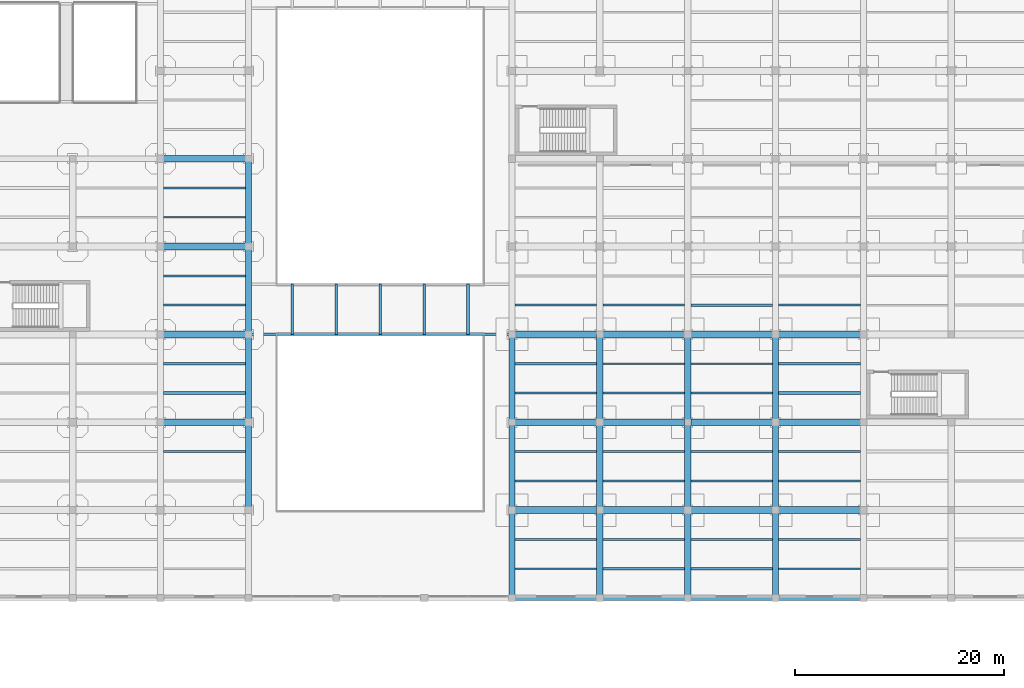
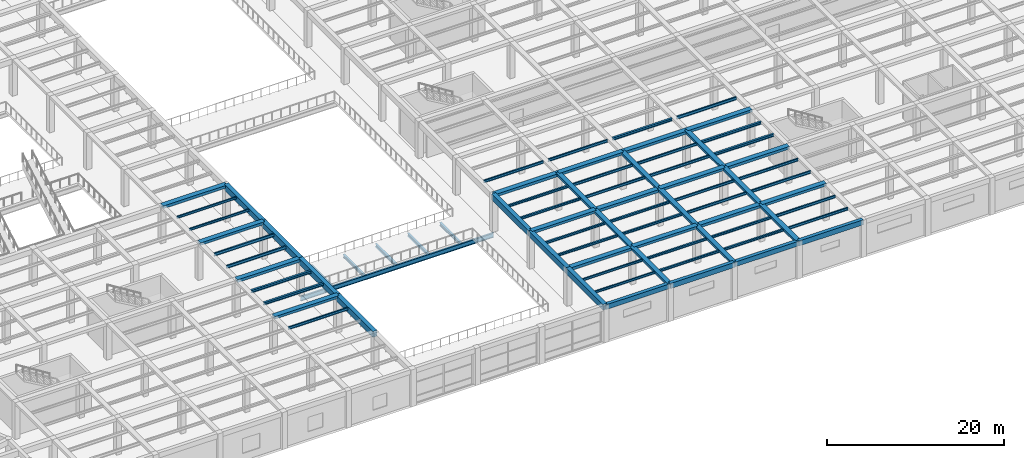
# One storey, part 27 of 96: 77 beams.
"""IFC4 building model written with IfcOpenShell, lengths in metres."""

from ifc_helpers import new_model, si_unit, direction, frame, origin, origin_2d, place, context, subcontext, project, spatial, rectangle, i_section, extrude, material, material_profile, profile_set, type_object, element, save


model = new_model("IFC4")

# Units and contexts
model_context = context("Model", 3, precision=1e-05, world=origin(), true_north=direction((0.0, 1.0)))
body_context = subcontext(model_context, "Body", "Model", "MODEL_VIEW")
ifc_project = project(units=[si_unit("LENGTHUNIT", "METRE"), si_unit("AREAUNIT", "SQUARE_METRE"), si_unit("VOLUMEUNIT", "CUBIC_METRE"), si_unit("PLANEANGLEUNIT", "RADIAN"), si_unit("MASSUNIT", "GRAM", prefix="KILO")], contexts=[model_context])

# Site, building, storey
site_placement = place(None, origin())
site = spatial("IfcSite", under=ifc_project, at=site_placement, CompositionType="ELEMENT")
building_placement = place(site_placement, origin())
building = spatial("IfcBuilding", under=site, at=building_placement, Name="Almacenes y Pasaje Nevantli", CompositionType="ELEMENT")
storey_placement = place(building_placement, frame((0.0, 0.0, 6.0)))
storey = spatial("IfcBuildingStorey", under=building, at=storey_placement, Name="L02", CompositionType="ELEMENT", Elevation=6.0)

# Beams
ifc_material_1 = material(Name="Concrete C35/45", Category="concrete")
ifc_material_profile_1 = material_profile(ifc_material_1, rectangle(XDim=0.449951171875, YDim=0.64990234375, at=origin_2d()), Name="RC-BM-450x650")
ifc_profile_set_1 = profile_set([ifc_material_profile_1], Name="Concrete C35/45")
beam_type_1 = type_object("IfcBeamType", Name="BM-RC-450x650", PredefinedType="SPANDREL", material=ifc_profile_set_1)
for number, where, z_axis, x_axis, name in (
    (1, (92.39990234375, 0.0, 4.77490234375), (1.0, 0.0, 0.0), (0.0, 1.0, 0.0), "L02 East-West Reinforced Concrete Beam #1731"),
    (2, (109.199951171875, 0.0, 4.77490234375), (1.0, 0.0, 0.0), (0.0, 1.0, 0.0), "L02 East-West Reinforced Concrete Beam #1733"),
):
    element("IfcBeam", number, at=place(storey_placement, frame(where, z_axis=z_axis, x_axis=x_axis)), inside=storey, type_object=beam_type_1, Name=name, PredefinedType="SPANDREL", context=body_context, shape_type="SweptSolid", body=[
        extrude(rectangle(XDim=0.449951171875, YDim=0.64990234375, at=origin_2d()), origin(), (0.0, 0.0, 1.0), 8.400146484375),
    ])
ifc_material_2 = material(Name="Concrete C35/45", Category="concrete")
ifc_material_profile_2 = material_profile(ifc_material_2, rectangle(XDim=0.449951171875, YDim=0.699951171875, at=origin_2d()), Name="RC-BM-450x700")
ifc_profile_set_2 = profile_set([ifc_material_profile_2], Name="Concrete C35/45")
beam_type_2 = type_object("IfcBeamType", Name="BM-RC-450x700", PredefinedType="SPANDREL", material=ifc_profile_set_2)
for number, where, z_axis, x_axis, name in (
    (3, (100.800048828125, 0.0, 4.75), (1.0, 0.0, 0.0), (0.0, 1.0, 0.0), "L02 East-West Reinforced Concrete Beam #1732"),
    (4, (117.60009765625, 0.0, 4.75), (1.0, 0.0, 0.0), (0.0, 1.0, 0.0), "L02 East-West Reinforced Concrete Beam #1734"),
):
    element("IfcBeam", number, at=place(storey_placement, frame(where, z_axis=z_axis, x_axis=x_axis)), inside=storey, type_object=beam_type_2, Name=name, PredefinedType="SPANDREL", context=body_context, shape_type="SweptSolid", body=[
        extrude(rectangle(XDim=0.449951171875, YDim=0.699951171875, at=origin_2d()), origin(), (0.0, 0.0, 1.0), 8.39990234375),
    ])
ifc_material_3 = material(Name="Concrete C35/45", Category="concrete")
ifc_material_profile_3 = material_profile(ifc_material_3, rectangle(XDim=0.550048828125, YDim=0.800048828125, at=origin_2d()), Name="RC-BM-550x800")
ifc_profile_set_3 = profile_set([ifc_material_profile_3], Name="Concrete C35/45")
beam_type_3 = type_object("IfcBeamType", Name="BM-RC-550x800", PredefinedType="BEAM", material=ifc_profile_set_3)
beam_1_placement = place(storey_placement, frame((67.199951171875, 8.39990234375, 4.699951171875), z_axis=(0.0, 1.0, 0.0), x_axis=(-1.0, 0.0, 0.0)))
element("IfcBeam", 5, at=beam_1_placement, inside=storey, type_object=beam_type_3, Name="L02 North-South Reinforced Concrete Beam #2056", PredefinedType="BEAM", context=body_context, shape_type="SweptSolid", body=[
    extrude(rectangle(XDim=0.550048828125, YDim=0.800048828125, at=origin_2d()), origin(), (0.0, 0.0, 1.0), 8.400146484375),
])
beam_2_placement = place(storey_placement, frame((67.199951171875, 16.800048828125, 4.699951171875), z_axis=(0.0, 1.0, 0.0), x_axis=(-1.0, 0.0, 0.0)))
element("IfcBeam", 6, at=beam_2_placement, inside=storey, type_object=beam_type_3, Name="L02 North-South Reinforced Concrete Beam #2057", PredefinedType="BEAM", context=body_context, shape_type="SweptSolid", body=[
    extrude(rectangle(XDim=0.550048828125, YDim=0.800048828125, at=origin_2d()), origin(), (0.0, 0.0, 1.0), 8.39990234375),
])
beam_3_placement = place(storey_placement, frame((67.199951171875, 25.199951171875, 4.699951171875), z_axis=(0.0, 1.0, 0.0), x_axis=(-1.0, 0.0, 0.0)))
element("IfcBeam", 7, at=beam_3_placement, inside=storey, type_object=beam_type_3, Name="L02 North-South Reinforced Concrete Beam #2058", PredefinedType="BEAM", context=body_context, shape_type="SweptSolid", body=[
    extrude(rectangle(XDim=0.550048828125, YDim=0.800048828125, at=origin_2d()), origin(), (0.0, 0.0, 1.0), 8.400146484375),
])
for number, where, z_axis, x_axis, name in (
    (8, (67.199951171875, 33.60009765625, 4.699951171875), (0.0, 1.0, 0.0), (-1.0, 0.0, 0.0), "L02 North-South Reinforced Concrete Beam #2059"),
    (9, (92.39990234375, 0.0, 4.699951171875), (0.0, 1.0, 0.0), (-1.0, 0.0, 0.0), "L02 North-South Reinforced Concrete Beam #2069"),
):
    element("IfcBeam", number, at=place(storey_placement, frame(where, z_axis=z_axis, x_axis=x_axis)), inside=storey, type_object=beam_type_3, Name=name, PredefinedType="BEAM", context=body_context, shape_type="SweptSolid", body=[
        extrude(rectangle(XDim=0.550048828125, YDim=0.800048828125, at=origin_2d()), origin(), (0.0, 0.0, 1.0), 8.39990234375),
    ])
beam_4_placement = place(storey_placement, frame((92.39990234375, 8.39990234375, 4.699951171875), z_axis=(0.0, 1.0, 0.0), x_axis=(-1.0, 0.0, 0.0)))
element("IfcBeam", 10, at=beam_4_placement, inside=storey, type_object=beam_type_3, Name="L02 North-South Reinforced Concrete Beam #2070", PredefinedType="BEAM", context=body_context, shape_type="SweptSolid", body=[
    extrude(rectangle(XDim=0.550048828125, YDim=0.800048828125, at=origin_2d()), origin(), (0.0, 0.0, 1.0), 8.400146484375),
])
beam_5_placement = place(storey_placement, frame((92.39990234375, 16.800048828125, 4.699951171875), z_axis=(0.0, 1.0, 0.0), x_axis=(-1.0, 0.0, 0.0)))
element("IfcBeam", 11, at=beam_5_placement, inside=storey, type_object=beam_type_3, Name="L02 North-South Reinforced Concrete Beam #2071", PredefinedType="BEAM", context=body_context, shape_type="SweptSolid", body=[
    extrude(rectangle(XDim=0.550048828125, YDim=0.800048828125, at=origin_2d()), origin(), (0.0, 0.0, 1.0), 8.39990234375),
])
ifc_material_4 = material(Name="Concrete C35/45", Category="concrete")
ifc_material_profile_4 = material_profile(ifc_material_4, rectangle(XDim=0.60009765625, YDim=0.320068359375, at=origin_2d()), Name="RC-BM-600x320")
ifc_profile_set_4 = profile_set([ifc_material_profile_4], Name="Concrete C35/45")
beam_type_4 = type_object("IfcBeamType", Name="BM-RC-600x320", PredefinedType="BEAM", material=ifc_profile_set_4)
beam_6_placement = place(storey_placement, frame((100.800048828125, 8.39990234375, 4.93994140625), z_axis=(0.0, 1.0, 0.0), x_axis=(-1.0, 0.0, 0.0)))
element("IfcBeam", 12, at=beam_6_placement, inside=storey, type_object=beam_type_4, Name="L02 North-South Reinforced Concrete Beam #2084", PredefinedType="BEAM", context=body_context, shape_type="SweptSolid", body=[
    extrude(rectangle(XDim=0.60009765625, YDim=0.320068359375, at=origin_2d()), origin(), (0.0, 0.0, 1.0), 8.400146484375),
])
for number, where, z_axis, x_axis, name in (
    (13, (109.199951171875, 0.0, 4.93994140625), (0.0, 1.0, 0.0), (-1.0, 0.0, 0.0), "L02 North-South Reinforced Concrete Beam #2096"),
    (14, (109.199951171875, 16.800048828125, 4.93994140625), (0.0, 1.0, 0.0), (-1.0, 0.0, 0.0), "L02 North-South Reinforced Concrete Beam #2098"),
):
    element("IfcBeam", number, at=place(storey_placement, frame(where, z_axis=z_axis, x_axis=x_axis)), inside=storey, type_object=beam_type_4, Name=name, PredefinedType="BEAM", context=body_context, shape_type="SweptSolid", body=[
        extrude(rectangle(XDim=0.60009765625, YDim=0.320068359375, at=origin_2d()), origin(), (0.0, 0.0, 1.0), 8.39990234375),
    ])
beam_7_placement = place(storey_placement, frame((117.60009765625, 8.39990234375, 4.93994140625), z_axis=(0.0, 1.0, 0.0), x_axis=(-1.0, 0.0, 0.0)))
element("IfcBeam", 15, at=beam_7_placement, inside=storey, type_object=beam_type_4, Name="L02 North-South Reinforced Concrete Beam #2110", PredefinedType="BEAM", context=body_context, shape_type="SweptSolid", body=[
    extrude(rectangle(XDim=0.60009765625, YDim=0.320068359375, at=origin_2d()), origin(), (0.0, 0.0, 1.0), 8.400146484375),
])
ifc_material_5 = material(Name="Concrete C35/45", Category="concrete")
ifc_material_profile_5 = material_profile(ifc_material_5, rectangle(XDim=0.60009765625, YDim=0.340087890625, at=origin_2d()), Name="RC-BM-600x340")
ifc_profile_set_5 = profile_set([ifc_material_profile_5], Name="Concrete C35/45")
beam_type_5 = type_object("IfcBeamType", Name="BM-RC-600x340", PredefinedType="BEAM", material=ifc_profile_set_5)
for number, where, z_axis, x_axis, name in (
    (16, (100.800048828125, 0.0, 4.929931640625), (0.0, 1.0, 0.0), (-1.0, 0.0, 0.0), "L02 North-South Reinforced Concrete Beam #2083"),
    (17, (100.800048828125, 16.800048828125, 4.929931640625), (0.0, 1.0, 0.0), (-1.0, 0.0, 0.0), "L02 North-South Reinforced Concrete Beam #2085"),
):
    element("IfcBeam", number, at=place(storey_placement, frame(where, z_axis=z_axis, x_axis=x_axis)), inside=storey, type_object=beam_type_5, Name=name, PredefinedType="BEAM", context=body_context, shape_type="SweptSolid", body=[
        extrude(rectangle(XDim=0.60009765625, YDim=0.340087890625, at=origin_2d()), origin(), (0.0, 0.0, 1.0), 8.39990234375),
    ])
beam_8_placement = place(storey_placement, frame((109.199951171875, 8.39990234375, 4.929931640625), z_axis=(0.0, 1.0, 0.0), x_axis=(-1.0, 0.0, 0.0)))
element("IfcBeam", 18, at=beam_8_placement, inside=storey, type_object=beam_type_5, Name="L02 North-South Reinforced Concrete Beam #2097", PredefinedType="BEAM", context=body_context, shape_type="SweptSolid", body=[
    extrude(rectangle(XDim=0.60009765625, YDim=0.340087890625, at=origin_2d()), origin(), (0.0, 0.0, 1.0), 8.400146484375),
])
for number, where, z_axis, x_axis, name in (
    (19, (117.60009765625, 0.0, 4.929931640625), (0.0, 1.0, 0.0), (-1.0, 0.0, 0.0), "L02 North-South Reinforced Concrete Beam #2109"),
    (20, (117.60009765625, 16.800048828125, 4.929931640625), (0.0, 1.0, 0.0), (-1.0, 0.0, 0.0), "L02 North-South Reinforced Concrete Beam #2111"),
):
    element("IfcBeam", number, at=place(storey_placement, frame(where, z_axis=z_axis, x_axis=x_axis)), inside=storey, type_object=beam_type_5, Name=name, PredefinedType="BEAM", context=body_context, shape_type="SweptSolid", body=[
        extrude(rectangle(XDim=0.60009765625, YDim=0.340087890625, at=origin_2d()), origin(), (0.0, 0.0, 1.0), 8.39990234375),
    ])
ifc_material_6 = material(Name="Concrete C35/45", Category="concrete")
ifc_material_profile_6 = material_profile(ifc_material_6, rectangle(XDim=0.64990234375, YDim=0.35009765625, at=origin_2d()), Name="RC-BM-650x350")
ifc_profile_set_6 = profile_set([ifc_material_profile_6], Name="Concrete C35/45")
beam_type_6 = type_object("IfcBeamType", Name="BM-RC-650x350", PredefinedType="BEAM", material=ifc_profile_set_6)
for number, where, z_axis, x_axis, name in (
    (21, (100.800048828125, 8.39990234375, 4.925048828125), (1.0, 0.0, 0.0), (0.0, 1.0, 0.0), "L02 East-West Reinforced Concrete Beam #1746"),
    (22, (117.60009765625, 8.39990234375, 4.925048828125), (1.0, 0.0, 0.0), (0.0, 1.0, 0.0), "L02 East-West Reinforced Concrete Beam #1748"),
    (23, (58.800048828125, 16.800048828125, 4.925048828125), (1.0, 0.0, 0.0), (0.0, 1.0, 0.0), "L02 East-West Reinforced Concrete Beam #1758"),
):
    element("IfcBeam", number, at=place(storey_placement, frame(where, z_axis=z_axis, x_axis=x_axis)), inside=storey, type_object=beam_type_6, Name=name, PredefinedType="BEAM", context=body_context, shape_type="SweptSolid", body=[
        extrude(rectangle(XDim=0.64990234375, YDim=0.35009765625, at=origin_2d()), origin(), (0.0, 0.0, 1.0), 8.39990234375),
    ])
for number, where, z_axis, x_axis, name in (
    (24, (92.39990234375, 16.800048828125, 4.925048828125), (1.0, 0.0, 0.0), (0.0, 1.0, 0.0), "L02 East-West Reinforced Concrete Beam #1759"),
    (25, (109.199951171875, 16.800048828125, 4.925048828125), (1.0, 0.0, 0.0), (0.0, 1.0, 0.0), "L02 East-West Reinforced Concrete Beam #1761"),
):
    element("IfcBeam", number, at=place(storey_placement, frame(where, z_axis=z_axis, x_axis=x_axis)), inside=storey, type_object=beam_type_6, Name=name, PredefinedType="BEAM", context=body_context, shape_type="SweptSolid", body=[
        extrude(rectangle(XDim=0.64990234375, YDim=0.35009765625, at=origin_2d()), origin(), (0.0, 0.0, 1.0), 8.400146484375),
    ])
for number, where, z_axis, x_axis, name in (
    (26, (100.800048828125, 25.199951171875, 4.925048828125), (1.0, 0.0, 0.0), (0.0, 1.0, 0.0), "L02 East-West Reinforced Concrete Beam #1777"),
    (27, (117.60009765625, 25.199951171875, 4.925048828125), (1.0, 0.0, 0.0), (0.0, 1.0, 0.0), "L02 East-West Reinforced Concrete Beam #1779"),
    (28, (58.800048828125, 33.60009765625, 4.925048828125), (1.0, 0.0, 0.0), (0.0, 1.0, 0.0), "L02 East-West Reinforced Concrete Beam #1792"),
):
    element("IfcBeam", number, at=place(storey_placement, frame(where, z_axis=z_axis, x_axis=x_axis)), inside=storey, type_object=beam_type_6, Name=name, PredefinedType="BEAM", context=body_context, shape_type="SweptSolid", body=[
        extrude(rectangle(XDim=0.64990234375, YDim=0.35009765625, at=origin_2d()), origin(), (0.0, 0.0, 1.0), 8.39990234375),
    ])
ifc_material_7 = material(Name="Concrete C35/45", Category="concrete")
ifc_material_profile_7 = material_profile(ifc_material_7, rectangle(XDim=0.64990234375, YDim=0.3798828125, at=origin_2d()), Name="RC-BM-650x380")
ifc_profile_set_7 = profile_set([ifc_material_profile_7], Name="Concrete C35/45")
beam_type_7 = type_object("IfcBeamType", Name="BM-RC-650x380", PredefinedType="BEAM", material=ifc_profile_set_7)
for number, where, z_axis, x_axis, name in (
    (29, (92.39990234375, 8.39990234375, 4.909912109375), (1.0, 0.0, 0.0), (0.0, 1.0, 0.0), "L02 East-West Reinforced Concrete Beam #1745"),
    (30, (109.199951171875, 8.39990234375, 4.909912109375), (1.0, 0.0, 0.0), (0.0, 1.0, 0.0), "L02 East-West Reinforced Concrete Beam #1747"),
):
    element("IfcBeam", number, at=place(storey_placement, frame(where, z_axis=z_axis, x_axis=x_axis)), inside=storey, type_object=beam_type_7, Name=name, PredefinedType="BEAM", context=body_context, shape_type="SweptSolid", body=[
        extrude(rectangle(XDim=0.64990234375, YDim=0.3798828125, at=origin_2d()), origin(), (0.0, 0.0, 1.0), 8.400146484375),
    ])
for number, where, z_axis, x_axis, name in (
    (31, (100.800048828125, 16.800048828125, 4.909912109375), (1.0, 0.0, 0.0), (0.0, 1.0, 0.0), "L02 East-West Reinforced Concrete Beam #1760"),
    (32, (117.60009765625, 16.800048828125, 4.909912109375), (1.0, 0.0, 0.0), (0.0, 1.0, 0.0), "L02 East-West Reinforced Concrete Beam #1762"),
    (33, (58.800048828125, 25.199951171875, 4.909912109375), (1.0, 0.0, 0.0), (0.0, 1.0, 0.0), "L02 East-West Reinforced Concrete Beam #1775"),
):
    element("IfcBeam", number, at=place(storey_placement, frame(where, z_axis=z_axis, x_axis=x_axis)), inside=storey, type_object=beam_type_7, Name=name, PredefinedType="BEAM", context=body_context, shape_type="SweptSolid", body=[
        extrude(rectangle(XDim=0.64990234375, YDim=0.3798828125, at=origin_2d()), origin(), (0.0, 0.0, 1.0), 8.39990234375),
    ])
for number, where, z_axis, x_axis, name in (
    (34, (92.39990234375, 25.199951171875, 4.909912109375), (1.0, 0.0, 0.0), (0.0, 1.0, 0.0), "L02 East-West Reinforced Concrete Beam #1776"),
    (35, (109.199951171875, 25.199951171875, 4.909912109375), (1.0, 0.0, 0.0), (0.0, 1.0, 0.0), "L02 East-West Reinforced Concrete Beam #1778"),
):
    element("IfcBeam", number, at=place(storey_placement, frame(where, z_axis=z_axis, x_axis=x_axis)), inside=storey, type_object=beam_type_7, Name=name, PredefinedType="BEAM", context=body_context, shape_type="SweptSolid", body=[
        extrude(rectangle(XDim=0.64990234375, YDim=0.3798828125, at=origin_2d()), origin(), (0.0, 0.0, 1.0), 8.400146484375),
    ])
beam_9_placement = place(storey_placement, frame((58.800048828125, 42.0, 4.909912109375), z_axis=(1.0, 0.0, 0.0), x_axis=(0.0, 1.0, 0.0)))
element("IfcBeam", 36, at=beam_9_placement, inside=storey, type_object=beam_type_7, Name="L02 East-West Reinforced Concrete Beam #1809", PredefinedType="BEAM", context=body_context, shape_type="SweptSolid", body=[
    extrude(rectangle(XDim=0.64990234375, YDim=0.3798828125, at=origin_2d()), origin(), (0.0, 0.0, 1.0), 8.39990234375),
])
ifc_material_8 = material(Name="Steel ASTM A992", Category="steel")
ifc_material_profile_8 = material_profile(ifc_material_8, i_section(OverallWidth=0.1650390625, OverallDepth=0.306884765625, WebThickness=0.006591796875, FlangeThickness=0.01025390625, at=origin_2d()), Name="IR 305x44.6")
ifc_profile_set_8 = profile_set([ifc_material_profile_8], Name="Steel ASTM A992")
beam_type_8 = type_object("IfcBeamType", Name="BM-STL-IR-305x44p6", PredefinedType="JOIST", material=ifc_profile_set_8)
for number, where, z_axis, x_axis, name in (
    (37, (59.10009765625, 36.39990234375, 4.9384765625), (1.0, 0.0, 0.0), (0.0, 1.0, 0.0), "L02 Secondary Steel Floor Joist #439"),
    (38, (59.10009765625, 39.199951171875, 4.9384765625), (1.0, 0.0, 0.0), (0.0, 1.0, 0.0), "L02 Secondary Steel Floor Joist #440"),
    (39, (92.675048828125, 2.800048828125, 4.9384765625), (1.0, 0.0, 0.0), (0.0, 1.0, 0.0), "L02 Secondary Steel Floor Joist #457"),
    (40, (92.675048828125, 5.60009765625, 4.9384765625), (1.0, 0.0, 0.0), (0.0, 1.0, 0.0), "L02 Secondary Steel Floor Joist #458"),
):
    element("IfcBeam", number, at=place(storey_placement, frame(where, z_axis=z_axis, x_axis=x_axis)), inside=storey, type_object=beam_type_8, Name=name, PredefinedType="JOIST", context=body_context, shape_type="SweptSolid", body=[
        extrude(i_section(OverallWidth=0.1650390625, OverallDepth=0.306884765625, WebThickness=0.006591796875, FlangeThickness=0.01025390625, at=origin_2d()), origin(), (0.0, 0.0, 1.0), 7.824951171875),
    ])
ifc_material_9 = material(Name="Steel ASTM A992", Category="steel")
ifc_material_profile_9 = material_profile(ifc_material_9, i_section(OverallWidth=0.202880859375, OverallDepth=0.304931640625, WebThickness=0.007568359375, FlangeThickness=0.01318359375, at=origin_2d()), Name="IR 305x59.5")
ifc_profile_set_9 = profile_set([ifc_material_profile_9], Name="Steel ASTM A992")
beam_type_9 = type_object("IfcBeamType", Name="BM-STL-IR-305x59p5", PredefinedType="JOIST", material=ifc_profile_set_9)
for number, where, z_axis, x_axis, name in (
    (41, (92.675048828125, 11.199951171875, 4.939453125), (1.0, 0.0, 0.0), (0.0, 1.0, 0.0), "L02 Secondary Steel Floor Joist #459"),
    (42, (92.675048828125, 14.0, 4.939453125), (1.0, 0.0, 0.0), (0.0, 1.0, 0.0), "L02 Secondary Steel Floor Joist #460"),
):
    element("IfcBeam", number, at=place(storey_placement, frame(where, z_axis=z_axis, x_axis=x_axis)), inside=storey, type_object=beam_type_9, Name=name, PredefinedType="JOIST", context=body_context, shape_type="SweptSolid", body=[
        extrude(i_section(OverallWidth=0.202880859375, OverallDepth=0.304931640625, WebThickness=0.007568359375, FlangeThickness=0.01318359375, at=origin_2d()), origin(), (0.0, 0.0, 1.0), 7.824951171875),
    ])
for number, where, z_axis, x_axis, name in (
    (43, (101.10009765625, 2.800048828125, 4.939453125), (1.0, 0.0, 0.0), (0.0, 1.0, 0.0), "L02 Secondary Steel Floor Joist #483"),
    (44, (101.10009765625, 5.60009765625, 4.939453125), (1.0, 0.0, 0.0), (0.0, 1.0, 0.0), "L02 Secondary Steel Floor Joist #484"),
):
    element("IfcBeam", number, at=place(storey_placement, frame(where, z_axis=z_axis, x_axis=x_axis)), inside=storey, type_object=beam_type_9, Name=name, PredefinedType="JOIST", context=body_context, shape_type="SweptSolid", body=[
        extrude(i_section(OverallWidth=0.202880859375, OverallDepth=0.304931640625, WebThickness=0.007568359375, FlangeThickness=0.01318359375, at=origin_2d()), origin(), (0.0, 0.0, 1.0), 7.7998046875),
    ])
ifc_material_10 = material(Name="Steel ASTM A992", Category="steel")
ifc_material_profile_10 = material_profile(ifc_material_10, i_section(OverallWidth=0.205078125, OverallDepth=0.31005859375, WebThickness=0.009521484375, FlangeThickness=0.016357421875, at=origin_2d()), Name="IR 305x74.4")
ifc_profile_set_10 = profile_set([ifc_material_profile_10], Name="Steel ASTM A992")
beam_type_10 = type_object("IfcBeamType", Name="BM-STL-IR-305x74p4", PredefinedType="JOIST", material=ifc_profile_set_10)
for number, where, z_axis, x_axis, name in (
    (45, (92.675048828125, 19.60009765625, 4.93701171875), (1.0, 0.0, 0.0), (0.0, 1.0, 0.0), "L02 Secondary Steel Floor Joist #461"),
    (46, (92.675048828125, 22.39990234375, 4.93701171875), (1.0, 0.0, 0.0), (0.0, 1.0, 0.0), "L02 Secondary Steel Floor Joist #462"),
):
    element("IfcBeam", number, at=place(storey_placement, frame(where, z_axis=z_axis, x_axis=x_axis)), inside=storey, type_object=beam_type_10, Name=name, PredefinedType="JOIST", context=body_context, shape_type="SweptSolid", body=[
        extrude(i_section(OverallWidth=0.205078125, OverallDepth=0.31005859375, WebThickness=0.009521484375, FlangeThickness=0.016357421875, at=origin_2d()), origin(), (0.0, 0.0, 1.0), 7.824951171875),
    ])
for number, where, z_axis, x_axis, name in (
    (47, (101.10009765625, 11.199951171875, 4.93701171875), (1.0, 0.0, 0.0), (0.0, 1.0, 0.0), "L02 Secondary Steel Floor Joist #485"),
    (48, (101.10009765625, 14.0, 4.93701171875), (1.0, 0.0, 0.0), (0.0, 1.0, 0.0), "L02 Secondary Steel Floor Joist #486"),
):
    element("IfcBeam", number, at=place(storey_placement, frame(where, z_axis=z_axis, x_axis=x_axis)), inside=storey, type_object=beam_type_10, Name=name, PredefinedType="JOIST", context=body_context, shape_type="SweptSolid", body=[
        extrude(i_section(OverallWidth=0.205078125, OverallDepth=0.31005859375, WebThickness=0.009521484375, FlangeThickness=0.016357421875, at=origin_2d()), origin(), (0.0, 0.0, 1.0), 7.7998046875),
    ])
for number, where, z_axis, x_axis, name in (
    (49, (109.5, 2.800048828125, 4.93701171875), (1.0, 0.0, 0.0), (0.0, 1.0, 0.0), "L02 Secondary Steel Floor Joist #507"),
    (50, (109.5, 5.60009765625, 4.93701171875), (1.0, 0.0, 0.0), (0.0, 1.0, 0.0), "L02 Secondary Steel Floor Joist #508"),
):
    element("IfcBeam", number, at=place(storey_placement, frame(where, z_axis=z_axis, x_axis=x_axis)), inside=storey, type_object=beam_type_10, Name=name, PredefinedType="JOIST", context=body_context, shape_type="SweptSolid", body=[
        extrude(i_section(OverallWidth=0.205078125, OverallDepth=0.31005859375, WebThickness=0.009521484375, FlangeThickness=0.016357421875, at=origin_2d()), origin(), (0.0, 0.0, 1.0), 7.800048828125),
    ])
ifc_material_11 = material(Name="Steel ASTM A992", Category="steel")
ifc_material_profile_11 = material_profile(ifc_material_11, i_section(OverallWidth=0.173095703125, OverallDepth=0.35302734375, WebThickness=0.0078125, FlangeThickness=0.01318359375, at=origin_2d()), Name="IR 356x56.6")
ifc_profile_set_11 = profile_set([ifc_material_profile_11], Name="Steel ASTM A992")
beam_type_11 = type_object("IfcBeamType", Name="BM-STL-IR-356x56p6", PredefinedType="JOIST", material=ifc_profile_set_11)
beam_10_placement = place(storey_placement, frame((92.675048828125, 28.0, 4.91552734375), z_axis=(1.0, 0.0, 0.0), x_axis=(0.0, 1.0, 0.0)))
element("IfcBeam", 51, at=beam_10_placement, inside=storey, type_object=beam_type_11, Name="L02 Secondary Steel Floor Joist #463", PredefinedType="JOIST", context=body_context, shape_type="SweptSolid", body=[
    extrude(i_section(OverallWidth=0.173095703125, OverallDepth=0.35302734375, WebThickness=0.0078125, FlangeThickness=0.01318359375, at=origin_2d()), origin(), (0.0, 0.0, 1.0), 7.824951171875),
])
for number, where, z_axis, x_axis, name in (
    (52, (101.10009765625, 19.60009765625, 4.91552734375), (1.0, 0.0, 0.0), (0.0, 1.0, 0.0), "L02 Secondary Steel Floor Joist #487"),
    (53, (101.10009765625, 22.39990234375, 4.91552734375), (1.0, 0.0, 0.0), (0.0, 1.0, 0.0), "L02 Secondary Steel Floor Joist #488"),
):
    element("IfcBeam", number, at=place(storey_placement, frame(where, z_axis=z_axis, x_axis=x_axis)), inside=storey, type_object=beam_type_11, Name=name, PredefinedType="JOIST", context=body_context, shape_type="SweptSolid", body=[
        extrude(i_section(OverallWidth=0.173095703125, OverallDepth=0.35302734375, WebThickness=0.0078125, FlangeThickness=0.01318359375, at=origin_2d()), origin(), (0.0, 0.0, 1.0), 7.7998046875),
    ])
for number, where, z_axis, x_axis, name in (
    (54, (109.5, 11.199951171875, 4.91552734375), (1.0, 0.0, 0.0), (0.0, 1.0, 0.0), "L02 Secondary Steel Floor Joist #509"),
    (55, (109.5, 14.0, 4.91552734375), (1.0, 0.0, 0.0), (0.0, 1.0, 0.0), "L02 Secondary Steel Floor Joist #510"),
    (56, (117.89990234375, 2.800048828125, 4.91552734375), (1.0, 0.0, 0.0), (0.0, 1.0, 0.0), "L02 Secondary Steel Floor Joist #533"),
    (57, (117.89990234375, 5.60009765625, 4.91552734375), (1.0, 0.0, 0.0), (0.0, 1.0, 0.0), "L02 Secondary Steel Floor Joist #534"),
):
    element("IfcBeam", number, at=place(storey_placement, frame(where, z_axis=z_axis, x_axis=x_axis)), inside=storey, type_object=beam_type_11, Name=name, PredefinedType="JOIST", context=body_context, shape_type="SweptSolid", body=[
        extrude(i_section(OverallWidth=0.173095703125, OverallDepth=0.35302734375, WebThickness=0.0078125, FlangeThickness=0.01318359375, at=origin_2d()), origin(), (0.0, 0.0, 1.0), 7.800048828125),
    ])
ifc_material_12 = material(Name="Steel ASTM A992", Category="steel")
ifc_material_profile_12 = material_profile(ifc_material_12, i_section(OverallWidth=0.173095703125, OverallDepth=0.364013671875, WebThickness=0.009033203125, FlangeThickness=0.015625, at=origin_2d()), Name="IR 356x67.0")
ifc_profile_set_12 = profile_set([ifc_material_profile_12], Name="Steel ASTM A992")
beam_type_12 = type_object("IfcBeamType", Name="BM-STL-IR-356x67p0", PredefinedType="JOIST", material=ifc_profile_set_12)
beam_11_placement = place(storey_placement, frame((59.10009765625, 14.0, 4.909912109375), z_axis=(1.0, 0.0, 0.0), x_axis=(0.0, 1.0, 0.0)))
element("IfcBeam", 58, at=beam_11_placement, inside=storey, type_object=beam_type_12, Name="L02 Secondary Steel Floor Joist #434", PredefinedType="JOIST", context=body_context, shape_type="SweptSolid", body=[
    extrude(i_section(OverallWidth=0.173095703125, OverallDepth=0.364013671875, WebThickness=0.009033203125, FlangeThickness=0.015625, at=origin_2d()), origin(), (0.0, 0.0, 1.0), 7.824951171875),
])
beam_12_placement = place(storey_placement, frame((101.10009765625, 28.0, 4.909912109375), z_axis=(1.0, 0.0, 0.0), x_axis=(0.0, 1.0, 0.0)))
element("IfcBeam", 59, at=beam_12_placement, inside=storey, type_object=beam_type_12, Name="L02 Secondary Steel Floor Joist #489", PredefinedType="JOIST", context=body_context, shape_type="SweptSolid", body=[
    extrude(i_section(OverallWidth=0.173095703125, OverallDepth=0.364013671875, WebThickness=0.009033203125, FlangeThickness=0.015625, at=origin_2d()), origin(), (0.0, 0.0, 1.0), 7.7998046875),
])
for number, where, z_axis, x_axis, name in (
    (60, (109.5, 19.60009765625, 4.909912109375), (1.0, 0.0, 0.0), (0.0, 1.0, 0.0), "L02 Secondary Steel Floor Joist #511"),
    (61, (109.5, 22.39990234375, 4.909912109375), (1.0, 0.0, 0.0), (0.0, 1.0, 0.0), "L02 Secondary Steel Floor Joist #512"),
    (62, (117.89990234375, 11.199951171875, 4.909912109375), (1.0, 0.0, 0.0), (0.0, 1.0, 0.0), "L02 Secondary Steel Floor Joist #535"),
    (63, (117.89990234375, 14.0, 4.909912109375), (1.0, 0.0, 0.0), (0.0, 1.0, 0.0), "L02 Secondary Steel Floor Joist #536"),
):
    element("IfcBeam", number, at=place(storey_placement, frame(where, z_axis=z_axis, x_axis=x_axis)), inside=storey, type_object=beam_type_12, Name=name, PredefinedType="JOIST", context=body_context, shape_type="SweptSolid", body=[
        extrude(i_section(OverallWidth=0.173095703125, OverallDepth=0.364013671875, WebThickness=0.009033203125, FlangeThickness=0.015625, at=origin_2d()), origin(), (0.0, 0.0, 1.0), 7.800048828125),
    ])
ifc_material_13 = material(Name="Steel ASTM A992", Category="steel")
ifc_material_profile_13 = material_profile(ifc_material_13, i_section(OverallWidth=0.25390625, OverallDepth=0.35595703125, WebThickness=0.009521484375, FlangeThickness=0.016357421875, at=origin_2d()), Name="IR 356x79.0")
ifc_profile_set_13 = profile_set([ifc_material_profile_13], Name="Steel ASTM A992")
beam_type_13 = type_object("IfcBeamType", Name="BM-STL-IR-356x79p0", PredefinedType="JOIST", material=ifc_profile_set_13)
for number, where, z_axis, x_axis, name in (
    (64, (59.10009765625, 19.60009765625, 4.9140625), (1.0, 0.0, 0.0), (0.0, 1.0, 0.0), "L02 Secondary Steel Floor Joist #435"),
    (65, (59.10009765625, 22.39990234375, 4.9140625), (1.0, 0.0, 0.0), (0.0, 1.0, 0.0), "L02 Secondary Steel Floor Joist #436"),
):
    element("IfcBeam", number, at=place(storey_placement, frame(where, z_axis=z_axis, x_axis=x_axis)), inside=storey, type_object=beam_type_13, Name=name, PredefinedType="JOIST", context=body_context, shape_type="SweptSolid", body=[
        extrude(i_section(OverallWidth=0.25390625, OverallDepth=0.35595703125, WebThickness=0.009521484375, FlangeThickness=0.016357421875, at=origin_2d()), origin(), (0.0, 0.0, 1.0), 7.824951171875),
    ])
for number, where, z_axis, x_axis, name in (
    (66, (109.5, 28.0, 4.9140625), (1.0, 0.0, 0.0), (0.0, 1.0, 0.0), "L02 Secondary Steel Floor Joist #513"),
    (67, (117.89990234375, 19.60009765625, 4.9140625), (1.0, 0.0, 0.0), (0.0, 1.0, 0.0), "L02 Secondary Steel Floor Joist #537"),
    (68, (117.89990234375, 22.39990234375, 4.9140625), (1.0, 0.0, 0.0), (0.0, 1.0, 0.0), "L02 Secondary Steel Floor Joist #538"),
):
    element("IfcBeam", number, at=place(storey_placement, frame(where, z_axis=z_axis, x_axis=x_axis)), inside=storey, type_object=beam_type_13, Name=name, PredefinedType="JOIST", context=body_context, shape_type="SweptSolid", body=[
        extrude(i_section(OverallWidth=0.25390625, OverallDepth=0.35595703125, WebThickness=0.009521484375, FlangeThickness=0.016357421875, at=origin_2d()), origin(), (0.0, 0.0, 1.0), 7.800048828125),
    ])
ifc_material_14 = material(Name="Steel ASTM A992", Category="steel")
ifc_material_profile_14 = material_profile(ifc_material_14, i_section(OverallWidth=0.178955078125, OverallDepth=0.406005859375, WebThickness=0.0087890625, FlangeThickness=0.014404296875, at=origin_2d()), Name="IR 406x67.0")
ifc_profile_set_14 = profile_set([ifc_material_profile_14], Name="Steel ASTM A992")
beam_type_14 = type_object("IfcBeamType", Name="BM-STL-IR-406x67p0", PredefinedType="JOIST", material=ifc_profile_set_14)
for number, where, z_axis, x_axis, name in (
    (69, (59.10009765625, 28.0, 4.888916015625), (1.0, 0.0, 0.0), (0.0, 1.0, 0.0), "L02 Secondary Steel Floor Joist #437"),
    (70, (59.10009765625, 30.800048828125, 4.888916015625), (1.0, 0.0, 0.0), (0.0, 1.0, 0.0), "L02 Secondary Steel Floor Joist #438"),
):
    element("IfcBeam", number, at=place(storey_placement, frame(where, z_axis=z_axis, x_axis=x_axis)), inside=storey, type_object=beam_type_14, Name=name, PredefinedType="JOIST", context=body_context, shape_type="SweptSolid", body=[
        extrude(i_section(OverallWidth=0.178955078125, OverallDepth=0.406005859375, WebThickness=0.0087890625, FlangeThickness=0.014404296875, at=origin_2d()), origin(), (0.0, 0.0, 1.0), 7.824951171875),
    ])
beam_13_placement = place(storey_placement, frame((117.89990234375, 28.0, 4.888916015625), z_axis=(1.0, 0.0, 0.0), x_axis=(0.0, 1.0, 0.0)))
element("IfcBeam", 71, at=beam_13_placement, inside=storey, type_object=beam_type_14, Name="L02 Secondary Steel Floor Joist #539", PredefinedType="JOIST", context=body_context, shape_type="SweptSolid", body=[
    extrude(i_section(OverallWidth=0.178955078125, OverallDepth=0.406005859375, WebThickness=0.0087890625, FlangeThickness=0.014404296875, at=origin_2d()), origin(), (0.0, 0.0, 1.0), 7.800048828125),
])
ifc_material_15 = material(Name="Steel ASTM A992", Category="steel")
ifc_material_profile_15 = material_profile(ifc_material_15, i_section(OverallWidth=0.260009765625, OverallDepth=0.4130859375, WebThickness=0.010009765625, FlangeThickness=0.017333984375, at=origin_2d()), Name="IR 406x99.7")
ifc_profile_set_15 = profile_set([ifc_material_profile_15], Name="Steel ASTM A992")
beam_type_15 = type_object("IfcBeamType", Name="BM-STL-IR-406x99p7", PredefinedType="BEAM", material=ifc_profile_set_15)
for number, where, z_axis, x_axis, name in (
    (72, (71.39990234375, 25.199951171875, -0.514404296875), (0.0, 1.0, 0.0), (-1.0, 0.0, 0.0), "L02 Arcade Gallery Bridge Cross Beam #3"),
    (73, (75.60009765625, 25.199951171875, -0.514404296875), (0.0, 1.0, 0.0), (-1.0, 0.0, 0.0), "L02 Arcade Gallery Bridge Cross Beam #4"),
    (74, (79.800048828125, 25.199951171875, -0.514404296875), (0.0, 1.0, 0.0), (-1.0, 0.0, 0.0), "L02 Arcade Gallery Bridge Cross Beam #5"),
    (75, (84.0, 25.199951171875, -0.514404296875), (0.0, 1.0, 0.0), (-1.0, 0.0, 0.0), "L02 Arcade Gallery Bridge Cross Beam #6"),
    (76, (88.199951171875, 25.199951171875, -0.514404296875), (0.0, 1.0, 0.0), (-1.0, 0.0, 0.0), "L02 Arcade Gallery Bridge Cross Beam #7"),
):
    element("IfcBeam", number, at=place(storey_placement, frame(where, z_axis=z_axis, x_axis=x_axis)), inside=storey, type_object=beam_type_15, Name=name, PredefinedType="BEAM", context=body_context, shape_type="SweptSolid", body=[
        extrude(i_section(OverallWidth=0.260009765625, OverallDepth=0.4130859375, WebThickness=0.010009765625, FlangeThickness=0.017333984375, at=origin_2d()), origin(), (0.0, 0.0, 1.0), 4.800048828125),
    ])
ifc_material_16 = material(Name="Steel ASTM A992", Category="steel")
ifc_material_profile_16 = material_profile(ifc_material_16, i_section(OverallWidth=0.22998046875, OverallDepth=0.616943359375, WebThickness=0.01318359375, FlangeThickness=0.022216796875, at=origin_2d()), Name="IR 610x140.0")
ifc_profile_set_16 = profile_set([ifc_material_profile_16], Name="Steel ASTM A992")
beam_type_16 = type_object("IfcBeamType", Name="BM-STL-IR-610x140p0", PredefinedType="BEAM", material=ifc_profile_set_16)
beam_14_placement = place(storey_placement, frame((67.199951171875, 25.199951171875, -0.616455078125), z_axis=(1.0, 0.0, 0.0), x_axis=(0.0, 1.0, 0.0)))
element("IfcBeam", 77, at=beam_14_placement, inside=storey, type_object=beam_type_16, Name="L02 Arcade Gallery Bridge Steel Girder BRG-ARC-1.1", PredefinedType="BEAM", context=body_context, shape_type="SweptSolid", body=[
    extrude(i_section(OverallWidth=0.22998046875, OverallDepth=0.616943359375, WebThickness=0.01318359375, FlangeThickness=0.022216796875, at=origin_2d()), origin(), (0.0, 0.0, 1.0), 25.199951171875),
])

save(model, "model.ifc")
